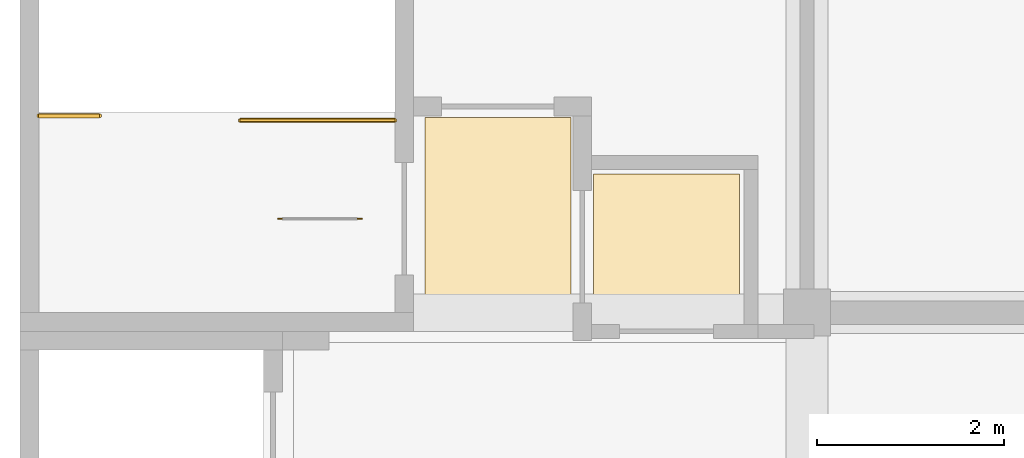
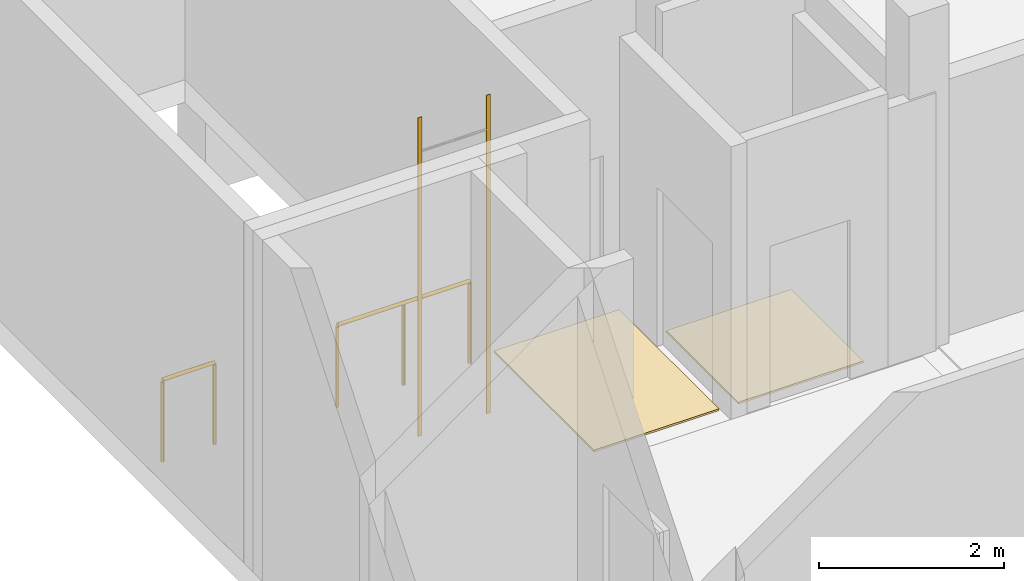
# One storey, part 14 of 15: 4 railings, 2 coverings.
"""IFC4 building model written with IfcOpenShell, lengths in metres."""

from ifc_helpers import new_model, si_unit, direction, frame, origin, origin_2d, place, context, subcontext, project, spatial, polyline, rectangle, circle, outline, extrude, material, layer, layer_set, material_profile, profile_set, type_object, element, save


model = new_model("IFC4")

# Units and contexts
model_context = context("Model", 3, precision=1e-05, world=origin(), true_north=direction((0.0, 1.0)))
body_context = subcontext(model_context, "Body", "Model", "MODEL_VIEW")
ifc_project = project(units=[si_unit("LENGTHUNIT", "METRE"), si_unit("AREAUNIT", "SQUARE_METRE"), si_unit("VOLUMEUNIT", "CUBIC_METRE"), si_unit("PLANEANGLEUNIT", "RADIAN"), si_unit("MASSUNIT", "GRAM", prefix="KILO")], contexts=[model_context])

# Site, building, storey
site_placement = place(None, origin())
site = spatial("IfcSite", under=ifc_project, at=site_placement, CompositionType="ELEMENT")
building_placement = place(site_placement, origin())
building = spatial("IfcBuilding", under=site, at=building_placement, Name="Kiln Court Media Centre", CompositionType="ELEMENT")
storey_placement = place(building_placement, frame((0.0, 0.0, 38.10009765625)))
storey = spatial("IfcBuildingStorey", under=building, at=storey_placement, Name="L08", CompositionType="ELEMENT", Elevation=38.10009765625)

# Coverings
ifc_material_1 = material(Name="Terrazzo")
ifc_layer = layer(ifc_material_1, 0.02490234375)
ifc_layer_set = layer_set([ifc_layer], Name="Polished terrazzo floor finish 25")
covering_type = type_object("IfcCoveringType", Name="Polished terrazzo floor finish 25", PredefinedType="FLOORING", material=ifc_layer_set)
covering_1_placement = place(storey_placement, origin())
element("IfcCovering", 1, at=covering_1_placement, inside=storey, type_object=covering_type, Name="Stair 2 Vestibule floor finish", PredefinedType="FLOORING", context=body_context, shape_type="SweptSolid", body=[
    extrude(outline(polyline([(4.320068359375, 16.719970703125), (5.8798828125, 16.719970703125), (5.8798828125, 18.8798828125), (4.320068359375, 18.8798828125), (4.320068359375, 16.719970703125)])), origin(), (0.0, 0.0, 1.0), 0.02490234375),
])
covering_2_placement = place(storey_placement, origin())
element("IfcCovering", 2, at=covering_2_placement, inside=storey, type_object=covering_type, Name="Wheelchair Refuge floor finish", PredefinedType="FLOORING", context=body_context, shape_type="SweptSolid", body=[
    extrude(outline(polyline([(6.1201171875, 16.719970703125), (7.679931640625, 16.719970703125), (7.679931640625, 18.280029296875), (6.1201171875, 18.280029296875), (6.1201171875, 16.719970703125)])), origin(), (0.0, 0.0, 1.0), 0.02490234375),
])

# Railings
ifc_material_2 = material(Name="Steel ASTM A572 Gr 50", Category="steel")
ifc_material_profile = material_profile(ifc_material_2, rectangle(XDim=0.050048828125, YDim=0.010009765625, at=origin_2d()), Name="Steel ASTM A572 Gr 50 ladder stile 50x10")
ifc_profile_set = profile_set([ifc_material_profile], Name="Steel ASTM A572 Gr 50")
railing_type_1 = type_object("IfcRailingType", Name="Steel ASTM A572 Gr 50 ladder stile 50x10", PredefinedType="USERDEFINED", material=ifc_profile_set)
for number, where, z_axis, x_axis, name in (
    (3, (2.77490234375, 17.800048828125, 0.099853515625), (0.0, 0.0, 1.0), (1.0, 0.0, 0.0), "roof access ladder stile"),
    (4, (3.625, 17.800048828125, 0.099853515625), (0.0, 0.0, 1.0), (1.0, 0.0, 0.0), "roof access ladder stile"),
):
    element("IfcRailing", number, at=place(storey_placement, frame(where, z_axis=z_axis, x_axis=x_axis)), inside=storey, type_object=railing_type_1, Name=name, ObjectType="FIXED LADDER", PredefinedType="USERDEFINED", context=body_context, shape_type="SweptSolid", body=[
        extrude(rectangle(XDim=0.050048828125, YDim=0.010009765625, at=origin_2d()), origin(), (0.0, 0.0, 1.0), 4.199951171875),
    ])
ifc_material_3 = material(Name="Steel S275", Category="steel")
railing_type_2 = type_object("IfcRailingType", Name="Steel S275 stair guard 1100", PredefinedType="GUARDRAIL", material=ifc_material_3)
railing_1_placement = place(storey_placement, frame((0.85009765625, 18.89990234375, 0.0)))
element("IfcRailing", 5, at=railing_1_placement, inside=storey, type_object=railing_type_2, Name="ST-02 landing edge guard", PredefinedType="GUARDRAIL", context=body_context, shape_type="SweptSolid", body=[
    extrude(circle(Radius=0.02392578125, at=origin_2d()), frame((0.0, 0.0, 1.076171875), z_axis=(-1.0, 0.0, 0.0), x_axis=(0.0, -1.0, 0.0)), (0.0, 0.0, 1.0), 0.650146484375),
    extrude(circle(Radius=0.02099609375, at=origin_2d()), origin(), (0.0, 0.0, 1.0), 1.052001953125),
    extrude(circle(Radius=0.02099609375, at=origin_2d()), frame((-0.650146484375, 0.0, 0.0)), (0.0, 0.0, 1.0), 1.052001953125),
])
railing_2_placement = place(storey_placement, frame((4.0, 18.85009765625, 0.0)))
element("IfcRailing", 6, at=railing_2_placement, inside=storey, type_object=railing_type_2, Name="ST-02 top floor guard", PredefinedType="GUARDRAIL", context=body_context, shape_type="SweptSolid", body=[
    extrude(circle(Radius=0.02392578125, at=origin_2d()), frame((0.0, 0.0, 1.076171875), z_axis=(-1.0, 0.0, 0.0), x_axis=(0.0, -1.0, 0.0)), (0.0, 0.0, 1.0), 1.64990234375),
    extrude(circle(Radius=0.02099609375, at=origin_2d()), origin(), (0.0, 0.0, 1.0), 1.052001953125),
    extrude(circle(Radius=0.02099609375, at=origin_2d()), frame((-0.824951171875, 0.0, 0.0)), (0.0, 0.0, 1.0), 1.052001953125),
    extrude(circle(Radius=0.02099609375, at=origin_2d()), frame((-1.64990234375, 0.0, 0.0)), (0.0, 0.0, 1.0), 1.052001953125),
])

save(model, "model.ifc")
